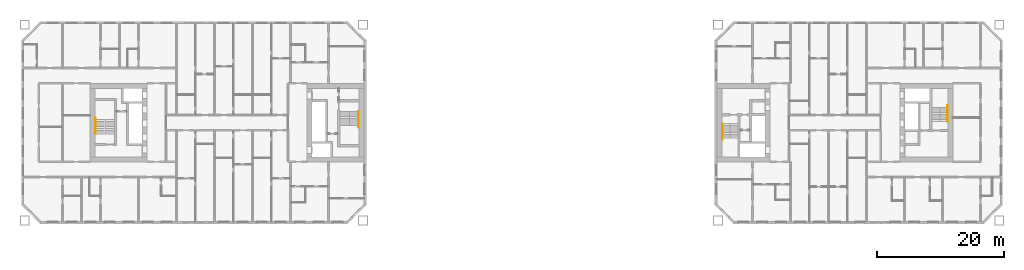
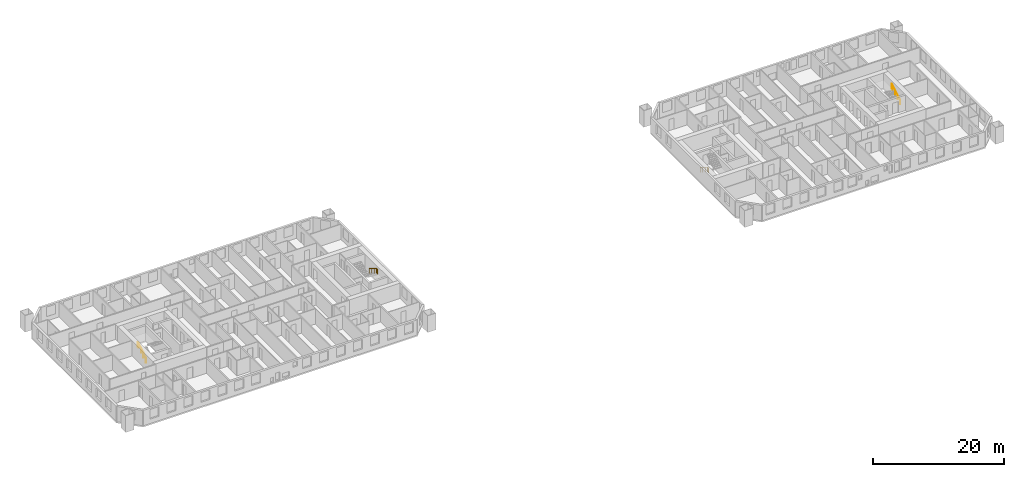
# One storey, part 16 of 16: 4 railings.
"""IFC4 building model written with IfcOpenShell, lengths in metres."""

from ifc_helpers import new_model, si_unit, direction, frame, origin, origin_2d, place, context, subcontext, project, spatial, circle, extrude, material, type_object, element, save


model = new_model("IFC4")

# Units and contexts
model_context = context("Model", 3, precision=1e-05, world=origin(), true_north=direction((0.0, 1.0)))
body_context = subcontext(model_context, "Body", "Model", "MODEL_VIEW")
ifc_project = project(units=[si_unit("LENGTHUNIT", "METRE"), si_unit("AREAUNIT", "SQUARE_METRE"), si_unit("VOLUMEUNIT", "CUBIC_METRE"), si_unit("PLANEANGLEUNIT", "RADIAN"), si_unit("MASSUNIT", "GRAM", prefix="KILO")], contexts=[model_context])

# Site, building, storey
site_placement = place(None, origin())
site = spatial("IfcSite", under=ifc_project, at=site_placement, CompositionType="ELEMENT")
building_placement = place(site_placement, origin())
building = spatial("IfcBuilding", under=site, at=building_placement, Name="Tuart Gate Housing", CompositionType="ELEMENT")
storey_placement = place(building_placement, frame((0.0, 0.0, 59.800048828125)))
storey = spatial("IfcBuildingStorey", under=building, at=storey_placement, Name="L16", CompositionType="ELEMENT", Elevation=59.800048828125)

# Railings
ifc_material = material(Name="Stainless steel", Category="steel")
railing_type = type_object("IfcRailingType", Name="Stair handrail 900", PredefinedType="HANDRAIL", material=ifc_material)
railing_1_placement = place(storey_placement, frame((74.780029296875, 71.77490234375, 0.172119140625)))
element("IfcRailing", 1, at=railing_1_placement, inside=storey, type_object=railing_type, Name="Stair handrail SA1.1", PredefinedType="HANDRAIL", context=body_context, shape_type="SweptSolid", body=[
    extrude(circle(Radius=0.02392578125, at=origin_2d()), frame((0.0, 0.0, 0.8759765625), z_axis=(0.0, -0.851747552033, 0.523952390591), x_axis=(1.0, 0.0, 0.0)), (0.0, 0.0, 1.0), 2.6298828125),
    extrude(circle(Radius=0.02392578125, at=origin_2d()), frame((0.0, -2.239990234375, 2.25390625), z_axis=(0.0, -1.0, 0.0), x_axis=(1.0, 0.0, 0.0)), (0.0, 0.0, 1.0), 0.2998046875),
    extrude(circle(Radius=0.02099609375, at=origin_2d()), origin(), (0.0, 0.0, 1.0), 0.851806640625),
    extrude(circle(Radius=0.02099609375, at=origin_2d()), frame((0.0, -0.74658203125, 0.459228515625)), (0.0, 0.0, 1.0), 0.851806640625),
    extrude(circle(Radius=0.02099609375, at=origin_2d()), frame((0.0, -1.493408203125, 0.918701171875)), (0.0, 0.0, 1.0), 0.851806640625),
    extrude(circle(Radius=0.02099609375, at=origin_2d()), frame((0.0, -2.239990234375, 1.3779296875)), (0.0, 0.0, 1.0), 0.851806640625),
    extrude(circle(Radius=0.02099609375, at=origin_2d()), frame((0.0, -2.539794921875, 1.3779296875)), (0.0, 0.0, 1.0), 0.851806640625),
])
railing_2_placement = place(storey_placement, frame((33.219970703125, 68.22509765625, 0.172119140625)))
element("IfcRailing", 2, at=railing_2_placement, inside=storey, type_object=railing_type, Name="Stair handrail SA2.1", PredefinedType="HANDRAIL", context=body_context, shape_type="SweptSolid", body=[
    extrude(circle(Radius=0.02392578125, at=origin_2d()), frame((0.0, 0.0, 0.8759765625), z_axis=(0.0, 0.851747552033, 0.523952390591), x_axis=(-1.0, 0.0, 0.0)), (0.0, 0.0, 1.0), 2.6298828125),
    extrude(circle(Radius=0.02392578125, at=origin_2d()), frame((0.0, 2.239990234375, 2.25390625), z_axis=(0.0, 1.0, 0.0), x_axis=(-1.0, 0.0, 0.0)), (0.0, 0.0, 1.0), 0.2998046875),
    extrude(circle(Radius=0.02099609375, at=origin_2d()), origin(), (0.0, 0.0, 1.0), 0.851806640625),
    extrude(circle(Radius=0.02099609375, at=origin_2d()), frame((0.0, 0.74658203125, 0.459228515625)), (0.0, 0.0, 1.0), 0.851806640625),
    extrude(circle(Radius=0.02099609375, at=origin_2d()), frame((0.0, 1.493408203125, 0.918701171875)), (0.0, 0.0, 1.0), 0.851806640625),
    extrude(circle(Radius=0.02099609375, at=origin_2d()), frame((0.0, 2.239990234375, 1.3779296875)), (0.0, 0.0, 1.0), 0.851806640625),
    extrude(circle(Radius=0.02099609375, at=origin_2d()), frame((0.0, 2.539794921875, 1.3779296875)), (0.0, 0.0, 1.0), 0.851806640625),
])
railing_3_placement = place(storey_placement, frame((132.219970703125, 69.824951171875, 0.172119140625)))
element("IfcRailing", 3, at=railing_3_placement, inside=storey, type_object=railing_type, Name="Stair handrail SB1.1", PredefinedType="HANDRAIL", context=body_context, shape_type="SweptSolid", body=[
    extrude(circle(Radius=0.02392578125, at=origin_2d()), frame((0.0, 0.0, 0.8759765625), z_axis=(0.0, -0.851747552033, 0.523952390591), x_axis=(1.0, 0.0, 0.0)), (0.0, 0.0, 1.0), 2.6298828125),
    extrude(circle(Radius=0.02392578125, at=origin_2d()), frame((0.0, -2.239990234375, 2.25390625), z_axis=(0.0, -1.0, 0.0), x_axis=(1.0, 0.0, 0.0)), (0.0, 0.0, 1.0), 0.300048828125),
    extrude(circle(Radius=0.02099609375, at=origin_2d()), origin(), (0.0, 0.0, 1.0), 0.851806640625),
    extrude(circle(Radius=0.02099609375, at=origin_2d()), frame((0.0, -0.74658203125, 0.459228515625)), (0.0, 0.0, 1.0), 0.851806640625),
    extrude(circle(Radius=0.02099609375, at=origin_2d()), frame((0.0, -1.493408203125, 0.918701171875)), (0.0, 0.0, 1.0), 0.851806640625),
    extrude(circle(Radius=0.02099609375, at=origin_2d()), frame((0.0, -2.239990234375, 1.3779296875)), (0.0, 0.0, 1.0), 0.851806640625),
    extrude(circle(Radius=0.02099609375, at=origin_2d()), frame((0.0, -2.5400390625, 1.3779296875)), (0.0, 0.0, 1.0), 0.851806640625),
])
railing_4_placement = place(storey_placement, frame((167.780029296875, 70.175048828125, 0.172119140625)))
element("IfcRailing", 4, at=railing_4_placement, inside=storey, type_object=railing_type, Name="Stair handrail SB2.1", PredefinedType="HANDRAIL", context=body_context, shape_type="SweptSolid", body=[
    extrude(circle(Radius=0.02392578125, at=origin_2d()), frame((0.0, 0.0, 0.8759765625), z_axis=(0.0, 0.851747552033, 0.523952390591), x_axis=(-1.0, 0.0, 0.0)), (0.0, 0.0, 1.0), 2.6298828125),
    extrude(circle(Radius=0.02392578125, at=origin_2d()), frame((0.0, 2.239990234375, 2.25390625), z_axis=(0.0, 1.0, 0.0), x_axis=(-1.0, 0.0, 0.0)), (0.0, 0.0, 1.0), 0.300048828125),
    extrude(circle(Radius=0.02099609375, at=origin_2d()), origin(), (0.0, 0.0, 1.0), 0.851806640625),
    extrude(circle(Radius=0.02099609375, at=origin_2d()), frame((0.0, 0.74658203125, 0.459228515625)), (0.0, 0.0, 1.0), 0.851806640625),
    extrude(circle(Radius=0.02099609375, at=origin_2d()), frame((0.0, 1.493408203125, 0.918701171875)), (0.0, 0.0, 1.0), 0.851806640625),
    extrude(circle(Radius=0.02099609375, at=origin_2d()), frame((0.0, 2.239990234375, 1.3779296875)), (0.0, 0.0, 1.0), 0.851806640625),
    extrude(circle(Radius=0.02099609375, at=origin_2d()), frame((0.0, 2.5400390625, 1.3779296875)), (0.0, 0.0, 1.0), 0.851806640625),
])

save(model, "model.ifc")
